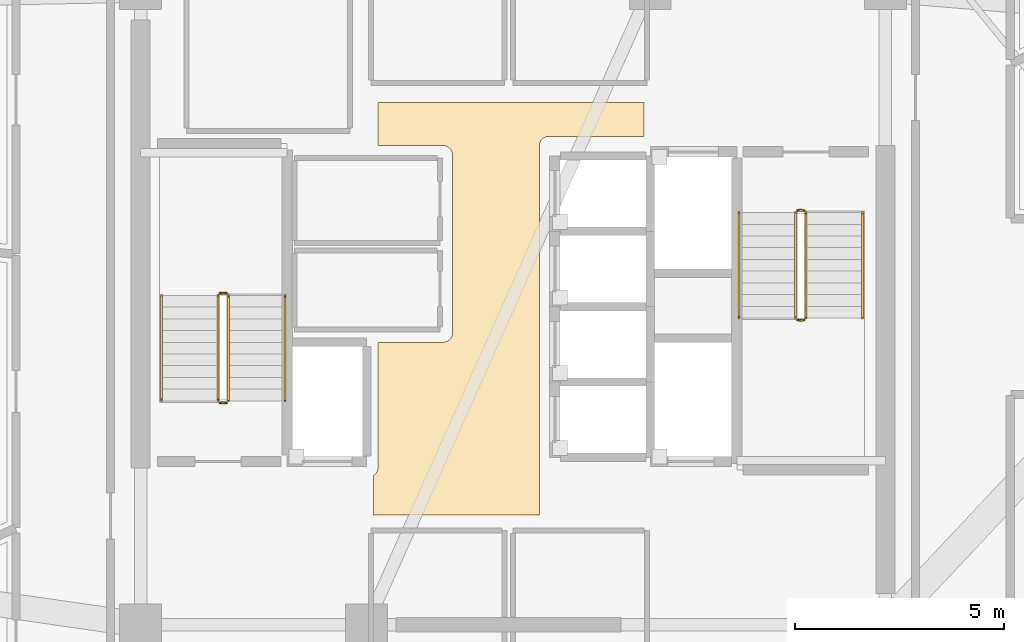
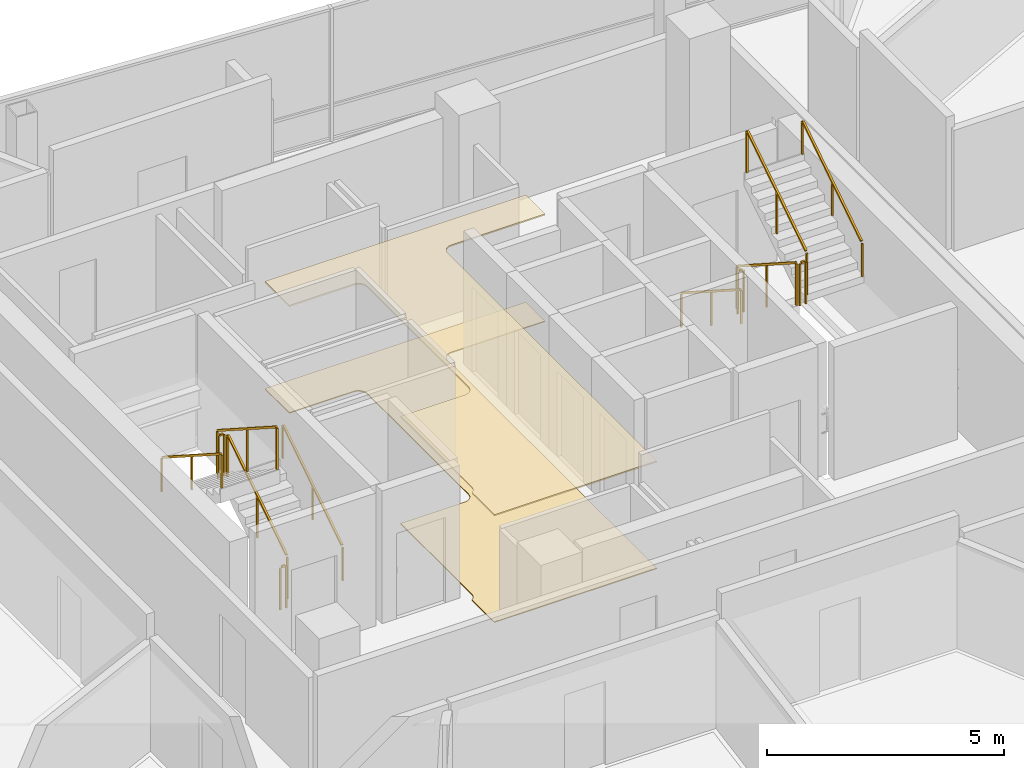
# One storey, part 13 of 14: 12 railings, 2 coverings.
"""IFC4 building model written with IfcOpenShell, lengths in metres."""

from ifc_helpers import new_model, si_unit, direction, frame, origin, origin_2d, place, context, subcontext, project, spatial, polyline, rectangle, outline, extrude, material, layer, layer_set, type_object, element, save


model = new_model("IFC4")

# Units and contexts
model_context = context("Model", 3, precision=1e-05, world=origin(), true_north=direction((0.0, 1.0)))
body_context = subcontext(model_context, "Body", "Model", "MODEL_VIEW")
ifc_project = project(units=[si_unit("LENGTHUNIT", "METRE"), si_unit("AREAUNIT", "SQUARE_METRE"), si_unit("VOLUMEUNIT", "CUBIC_METRE"), si_unit("PLANEANGLEUNIT", "RADIAN"), si_unit("MASSUNIT", "GRAM", prefix="KILO")], contexts=[model_context])

# Site, building, storey
site_placement = place(None, origin())
site = spatial("IfcSite", under=ifc_project, at=site_placement, CompositionType="ELEMENT")
building_placement = place(site_placement, origin())
building = spatial("IfcBuilding", under=site, at=building_placement, Name="Tharavind Bronze Gate", CompositionType="ELEMENT")
storey_placement = place(building_placement, frame((0.0, 0.0, 227.050048828125)))
storey = spatial("IfcBuildingStorey", under=building, at=storey_placement, Name="L58", CompositionType="ELEMENT", Elevation=227.050048828125)

# Coverings
ifc_material_1 = material(Name="Perforated Bronze Acoustic Panel", Category="bronze")
ifc_layer_1 = layer(ifc_material_1, 0.044921875)
ifc_layer_set_1 = layer_set([ifc_layer_1], Name="Perforated Bronze Acoustic Panel")
covering_type_1 = type_object("IfcCoveringType", Name="ACOUSTIC BRONZE BAFFLE CEILING", PredefinedType="CEILING", material=ifc_layer_set_1)
covering_1_placement = place(storey_placement, frame((0.0, 0.0, 2.75)))
element("IfcCovering", 1, at=covering_1_placement, inside=storey, type_object=covering_type_1, Name="L58-C-LL suspended ceiling", PredefinedType="CEILING", context=body_context, shape_type="SweptSolid", body=[
    extrude(outline(polyline([(-3.330078125, -4.97998046875), (0.6298828125, -4.97998046875), (0.6298828125, 3.85009765625), (0.631103515625, 3.87158203125), (0.63427734375, 3.892822265625), (0.639404296875, 3.913818359375), (0.646728515625, 3.93408203125), (0.656005859375, 3.95361328125), (0.6669921875, 3.97216796875), (0.679931640625, 3.989501953125), (0.6943359375, 4.005615234375), (0.71044921875, 4.02001953125), (0.727783203125, 4.032958984375), (0.746337890625, 4.0439453125), (0.765869140625, 4.05322265625), (0.7861328125, 4.060546875), (0.80712890625, 4.06591796875), (0.828369140625, 4.06884765625), (0.85009765625, 4.070068359375), (3.1298828125, 4.070068359375), (3.1298828125, 4.8798828125), (-3.22998046875, 4.8798828125), (-3.22998046875, 3.85009765625), (-1.669921875, 3.85009765625), (-1.6484375, 3.848876953125), (-1.627197265625, 3.845703125), (-1.606201171875, 3.840576171875), (-1.585693359375, 3.833251953125), (-1.56640625, 3.823974609375), (-1.5478515625, 3.81298828125), (-1.530517578125, 3.800048828125), (-1.514404296875, 3.78564453125), (-1.5, 3.76953125), (-1.487060546875, 3.752197265625), (-1.47607421875, 3.733642578125), (-1.466796875, 3.714111328125), (-1.45947265625, 3.69384765625), (-1.4541015625, 3.6728515625), (-1.451171875, 3.651611328125), (-1.449951171875, 3.6298828125), (-1.449951171875, 1.43994140625), (-1.450439453125, 1.429931640625), (-1.449951171875, 1.419921875), (-1.449951171875, -0.6298828125), (-1.451171875, -0.651611328125), (-1.4541015625, -0.6728515625), (-1.45947265625, -0.69384765625), (-1.466796875, -0.714111328125), (-1.47607421875, -0.733642578125), (-1.487060546875, -0.752197265625), (-1.5, -0.76953125), (-1.514404296875, -0.78564453125), (-1.530517578125, -0.800048828125), (-1.5478515625, -0.81298828125), (-1.56640625, -0.823974609375), (-1.585693359375, -0.833251953125), (-1.606201171875, -0.840576171875), (-1.627197265625, -0.845703125), (-1.6484375, -0.848876953125), (-1.669921875, -0.85009765625), (-3.22998046875, -0.85009765625), (-3.22998046875, -3.85009765625), (-3.231201171875, -3.87158203125), (-3.234130859375, -3.892822265625), (-3.239501953125, -3.913818359375), (-3.24658203125, -3.93408203125), (-3.256103515625, -3.95361328125), (-3.26708984375, -3.97216796875), (-3.27978515625, -3.989501953125), (-3.29443359375, -4.005615234375), (-3.310302734375, -4.02001953125), (-3.327880859375, -4.032958984375), (-3.330078125, -4.0341796875), (-3.330078125, -4.97998046875)])), origin(), (0.0, 0.0, 1.0), 0.034912109375),
])
ifc_material_2 = material(Name="Honed Travertine Limestone", Category="masonry")
ifc_layer_2 = layer(ifc_material_2, 0.030029296875)
ifc_layer_set_2 = layer_set([ifc_layer_2], Name="Honed Travertine Limestone")
covering_type_2 = type_object("IfcCoveringType", Name="HONED LIMESTONE FLOORING", PredefinedType="FLOORING", material=ifc_layer_set_2)
covering_2_placement = place(storey_placement, origin())
element("IfcCovering", 2, at=covering_2_placement, inside=storey, type_object=covering_type_2, Name="L58-C-LL floor finish", PredefinedType="FLOORING", context=body_context, shape_type="SweptSolid", body=[
    extrude(outline(polyline([(-3.330078125, -4.97998046875), (0.6298828125, -4.97998046875), (0.6298828125, 3.85009765625), (0.631103515625, 3.87158203125), (0.63427734375, 3.892822265625), (0.639404296875, 3.913818359375), (0.646728515625, 3.93408203125), (0.656005859375, 3.95361328125), (0.6669921875, 3.97216796875), (0.679931640625, 3.989501953125), (0.6943359375, 4.005615234375), (0.71044921875, 4.02001953125), (0.727783203125, 4.032958984375), (0.746337890625, 4.0439453125), (0.765869140625, 4.05322265625), (0.7861328125, 4.060546875), (0.80712890625, 4.06591796875), (0.828369140625, 4.06884765625), (0.85009765625, 4.070068359375), (3.1298828125, 4.070068359375), (3.1298828125, 4.8798828125), (-3.22998046875, 4.8798828125), (-3.22998046875, 3.85009765625), (-1.669921875, 3.85009765625), (-1.6484375, 3.848876953125), (-1.627197265625, 3.845703125), (-1.606201171875, 3.840576171875), (-1.585693359375, 3.833251953125), (-1.56640625, 3.823974609375), (-1.5478515625, 3.81298828125), (-1.530517578125, 3.800048828125), (-1.514404296875, 3.78564453125), (-1.5, 3.76953125), (-1.487060546875, 3.752197265625), (-1.47607421875, 3.733642578125), (-1.466796875, 3.714111328125), (-1.45947265625, 3.69384765625), (-1.4541015625, 3.6728515625), (-1.451171875, 3.651611328125), (-1.449951171875, 3.6298828125), (-1.449951171875, 1.43994140625), (-1.450439453125, 1.429931640625), (-1.449951171875, 1.419921875), (-1.449951171875, -0.6298828125), (-1.451171875, -0.651611328125), (-1.4541015625, -0.6728515625), (-1.45947265625, -0.69384765625), (-1.466796875, -0.714111328125), (-1.47607421875, -0.733642578125), (-1.487060546875, -0.752197265625), (-1.5, -0.76953125), (-1.514404296875, -0.78564453125), (-1.530517578125, -0.800048828125), (-1.5478515625, -0.81298828125), (-1.56640625, -0.823974609375), (-1.585693359375, -0.833251953125), (-1.606201171875, -0.840576171875), (-1.627197265625, -0.845703125), (-1.6484375, -0.848876953125), (-1.669921875, -0.85009765625), (-3.22998046875, -0.85009765625), (-3.22998046875, -3.85009765625), (-3.231201171875, -3.87158203125), (-3.234130859375, -3.892822265625), (-3.239501953125, -3.913818359375), (-3.24658203125, -3.93408203125), (-3.256103515625, -3.95361328125), (-3.26708984375, -3.97216796875), (-3.27978515625, -3.989501953125), (-3.29443359375, -4.005615234375), (-3.310302734375, -4.02001953125), (-3.327880859375, -4.032958984375), (-3.330078125, -4.0341796875), (-3.330078125, -4.97998046875)])), origin(), (0.0, 0.0, 1.0), 0.02490234375),
])

# Railings
ifc_material_3 = material(Name="Brushed Bronze Alloy", Category="metal")
railing_type_1 = type_object("IfcRailingType", Name="STAIR BRONZE HANDRAIL 900", PredefinedType="HANDRAIL", material=ifc_material_3)
railing_1_placement = place(storey_placement, frame((-5.449951171875, -2.25, 0.179931640625)))
element("IfcRailing", 3, at=railing_1_placement, inside=storey, type_object=railing_type_1, Name="L58 ST1 stair handrail 1", PredefinedType="HANDRAIL", context=body_context, shape_type="SweptSolid", body=[
    extrude(rectangle(XDim=0.048095703125, YDim=0.048095703125, at=origin_2d()), frame((0.0, 0.02685546875, 0.89306640625), z_axis=(0.0, 0.841162588446, 0.540782303519), x_axis=(-1.0, 0.0, 0.0)), (0.0, 0.0, 1.0), 2.931884765625),
    extrude(rectangle(XDim=0.0400390625, YDim=0.0400390625, at=origin_2d()), origin(), (0.0, 0.0, 1.0), 0.847900390625),
    extrude(rectangle(XDim=0.0400390625, YDim=0.0400390625, at=origin_2d()), frame((0.0, 1.260009765625, 0.81005859375)), (0.0, 0.0, 1.0), 0.847900390625),
    extrude(rectangle(XDim=0.0400390625, YDim=0.0400390625, at=origin_2d()), frame((0.0, 2.52001953125, 1.6201171875)), (0.0, 0.0, 1.0), 0.847900390625),
])
railing_2_placement = place(storey_placement, frame((-8.39990234375, 0.27001953125, 1.97998046875)))
element("IfcRailing", 4, at=railing_2_placement, inside=storey, type_object=railing_type_1, Name="L58 ST1 stair handrail 2", PredefinedType="HANDRAIL", context=body_context, shape_type="SweptSolid", body=[
    extrude(rectangle(XDim=0.048095703125, YDim=0.048095703125, at=origin_2d()), frame((0.0, -0.02685546875, 0.89306640625), z_axis=(0.0, -0.841199657755, 0.540724639528), x_axis=(1.0, 0.0, 0.0)), (0.0, 0.0, 1.0), 2.931640625),
    extrude(rectangle(XDim=0.0400390625, YDim=0.0400390625, at=origin_2d()), origin(), (0.0, 0.0, 1.0), 0.847900390625),
    extrude(rectangle(XDim=0.0400390625, YDim=0.0400390625, at=origin_2d()), frame((0.0, -1.260009765625, 0.81005859375)), (0.0, 0.0, 1.0), 0.847900390625),
    extrude(rectangle(XDim=0.0400390625, YDim=0.0400390625, at=origin_2d()), frame((0.0, -2.52001953125, 1.619873046875)), (0.0, 0.0, 1.0), 0.847900390625),
])
railing_3_placement = place(storey_placement, frame((5.39990234375, 2.25, 0.179931640625)))
element("IfcRailing", 5, at=railing_3_placement, inside=storey, type_object=railing_type_1, Name="L58 ST2 stair handrail 1", PredefinedType="HANDRAIL", context=body_context, shape_type="SweptSolid", body=[
    extrude(rectangle(XDim=0.048095703125, YDim=0.048095703125, at=origin_2d()), frame((0.0, -0.02685546875, 0.89306640625), z_axis=(0.0, -0.841162588446, 0.540782303519), x_axis=(1.0, 0.0, 0.0)), (0.0, 0.0, 1.0), 2.931884765625),
    extrude(rectangle(XDim=0.0400390625, YDim=0.0400390625, at=origin_2d()), origin(), (0.0, 0.0, 1.0), 0.847900390625),
    extrude(rectangle(XDim=0.0400390625, YDim=0.0400390625, at=origin_2d()), frame((0.0, -1.260009765625, 0.81005859375)), (0.0, 0.0, 1.0), 0.847900390625),
    extrude(rectangle(XDim=0.0400390625, YDim=0.0400390625, at=origin_2d()), frame((0.0, -2.52001953125, 1.6201171875)), (0.0, 0.0, 1.0), 0.847900390625),
])
railing_4_placement = place(storey_placement, frame((8.35009765625, -0.27001953125, 1.97998046875)))
element("IfcRailing", 6, at=railing_4_placement, inside=storey, type_object=railing_type_1, Name="L58 ST2 stair handrail 2", PredefinedType="HANDRAIL", context=body_context, shape_type="SweptSolid", body=[
    extrude(rectangle(XDim=0.048095703125, YDim=0.048095703125, at=origin_2d()), frame((0.0, 0.02685546875, 0.89306640625), z_axis=(0.0, 0.841199657755, 0.540724639528), x_axis=(-1.0, 0.0, 0.0)), (0.0, 0.0, 1.0), 2.931640625),
    extrude(rectangle(XDim=0.0400390625, YDim=0.0400390625, at=origin_2d()), origin(), (0.0, 0.0, 1.0), 0.847900390625),
    extrude(rectangle(XDim=0.0400390625, YDim=0.0400390625, at=origin_2d()), frame((0.0, 1.260009765625, 0.81005859375)), (0.0, 0.0, 1.0), 0.847900390625),
    extrude(rectangle(XDim=0.0400390625, YDim=0.0400390625, at=origin_2d()), frame((0.0, 2.52001953125, 1.619873046875)), (0.0, 0.0, 1.0), 0.847900390625),
])
railing_type_2 = type_object("IfcRailingType", Name="STAIR WELL GUARD RAILING 1120", PredefinedType="GUARDRAIL", material=ifc_material_3)
railing_5_placement = place(storey_placement, frame((-6.800048828125, -2.25, 0.179931640625)))
element("IfcRailing", 7, at=railing_5_placement, inside=storey, type_object=railing_type_2, Name="L58 ST1 stair guard 1", PredefinedType="GUARDRAIL", context=body_context, shape_type="SweptSolid", body=[
    extrude(rectangle(XDim=0.048095703125, YDim=0.048095703125, at=origin_2d()), frame((0.0, 0.02685546875, 1.11328125), z_axis=(0.0, 0.841162588446, 0.540782303519), x_axis=(-1.0, 0.0, 0.0)), (0.0, 0.0, 1.0), 2.931884765625),
    extrude(rectangle(XDim=0.0400390625, YDim=0.0400390625, at=origin_2d()), origin(), (0.0, 0.0, 1.0), 1.068115234375),
    extrude(rectangle(XDim=0.0400390625, YDim=0.0400390625, at=origin_2d()), frame((0.0, 1.260009765625, 0.81005859375)), (0.0, 0.0, 1.0), 1.068115234375),
    extrude(rectangle(XDim=0.0400390625, YDim=0.0400390625, at=origin_2d()), frame((0.0, 2.52001953125, 1.6201171875)), (0.0, 0.0, 1.0), 1.068115234375),
])
railing_6_placement = place(storey_placement, frame((-6.85009765625, 0.320068359375, 1.800048828125)))
element("IfcRailing", 8, at=railing_6_placement, inside=storey, type_object=railing_type_2, Name="L58 ST1 stair guard 2", PredefinedType="GUARDRAIL", context=body_context, shape_type="SweptSolid", body=[
    extrude(rectangle(XDim=0.048095703125, YDim=0.048095703125, at=origin_2d()), frame((-0.031982421875, 0.0, 1.09619140625), z_axis=(-1.0, 0.0, 0.0), x_axis=(0.0, -1.0, 0.0)), (0.0, 0.0, 1.0), 0.0859375),
    extrude(rectangle(XDim=0.0400390625, YDim=0.0400390625, at=origin_2d()), origin(), (0.0, 0.0, 1.0), 1.068115234375),
    extrude(rectangle(XDim=0.0400390625, YDim=0.0400390625, at=origin_2d()), frame((-0.14990234375, 0.0, 0.0)), (0.0, 0.0, 1.0), 1.068115234375),
])
railing_7_placement = place(storey_placement, frame((-7.050048828125, 0.27001953125, 1.97998046875)))
element("IfcRailing", 9, at=railing_7_placement, inside=storey, type_object=railing_type_2, Name="L58 ST1 stair guard 3", PredefinedType="GUARDRAIL", context=body_context, shape_type="SweptSolid", body=[
    extrude(rectangle(XDim=0.048095703125, YDim=0.048095703125, at=origin_2d()), frame((0.0, -0.02685546875, 1.11328125), z_axis=(0.0, -0.841199657755, 0.540724639528), x_axis=(1.0, 0.0, 0.0)), (0.0, 0.0, 1.0), 2.931640625),
    extrude(rectangle(XDim=0.0400390625, YDim=0.0400390625, at=origin_2d()), origin(), (0.0, 0.0, 1.0), 1.068115234375),
    extrude(rectangle(XDim=0.0400390625, YDim=0.0400390625, at=origin_2d()), frame((0.0, -1.260009765625, 0.81005859375)), (0.0, 0.0, 1.0), 1.068115234375),
    extrude(rectangle(XDim=0.0400390625, YDim=0.0400390625, at=origin_2d()), frame((0.0, -2.52001953125, 1.619873046875)), (0.0, 0.0, 1.0), 1.068115234375),
])
railing_8_placement = place(storey_placement, frame((-6.85009765625, -2.300048828125, 0.0)))
element("IfcRailing", 10, at=railing_8_placement, inside=storey, type_object=railing_type_2, Name="L58 ST1 stair guard 4", PredefinedType="GUARDRAIL", context=body_context, shape_type="SweptSolid", body=[
    extrude(rectangle(XDim=0.048095703125, YDim=0.048095703125, at=origin_2d()), frame((-0.031982421875, 0.0, 1.09619140625), z_axis=(-1.0, 0.0, 0.0), x_axis=(0.0, -1.0, 0.0)), (0.0, 0.0, 1.0), 0.0859375),
    extrude(rectangle(XDim=0.0400390625, YDim=0.0400390625, at=origin_2d()), origin(), (0.0, 0.0, 1.0), 1.068115234375),
    extrude(rectangle(XDim=0.0400390625, YDim=0.0400390625, at=origin_2d()), frame((-0.14990234375, 0.0, 0.0)), (0.0, 0.0, 1.0), 1.068115234375),
])
railing_9_placement = place(storey_placement, frame((6.75, 2.25, 0.179931640625)))
element("IfcRailing", 11, at=railing_9_placement, inside=storey, type_object=railing_type_2, Name="L58 ST2 stair guard 1", PredefinedType="GUARDRAIL", context=body_context, shape_type="SweptSolid", body=[
    extrude(rectangle(XDim=0.048095703125, YDim=0.048095703125, at=origin_2d()), frame((0.0, -0.02685546875, 1.11328125), z_axis=(0.0, -0.841162588446, 0.540782303519), x_axis=(1.0, 0.0, 0.0)), (0.0, 0.0, 1.0), 2.931884765625),
    extrude(rectangle(XDim=0.0400390625, YDim=0.0400390625, at=origin_2d()), origin(), (0.0, 0.0, 1.0), 1.068115234375),
    extrude(rectangle(XDim=0.0400390625, YDim=0.0400390625, at=origin_2d()), frame((0.0, -1.260009765625, 0.81005859375)), (0.0, 0.0, 1.0), 1.068115234375),
    extrude(rectangle(XDim=0.0400390625, YDim=0.0400390625, at=origin_2d()), frame((0.0, -2.52001953125, 1.6201171875)), (0.0, 0.0, 1.0), 1.068115234375),
])
railing_10_placement = place(storey_placement, frame((6.800048828125, -0.320068359375, 1.800048828125)))
element("IfcRailing", 12, at=railing_10_placement, inside=storey, type_object=railing_type_2, Name="L58 ST2 stair guard 2", PredefinedType="GUARDRAIL", context=body_context, shape_type="SweptSolid", body=[
    extrude(rectangle(XDim=0.048095703125, YDim=0.048095703125, at=origin_2d()), frame((0.031982421875, 0.0, 1.09619140625), z_axis=(1.0, 0.0, 0.0), x_axis=(0.0, 1.0, 0.0)), (0.0, 0.0, 1.0), 0.0859375),
    extrude(rectangle(XDim=0.0400390625, YDim=0.0400390625, at=origin_2d()), origin(), (0.0, 0.0, 1.0), 1.068115234375),
    extrude(rectangle(XDim=0.0400390625, YDim=0.0400390625, at=origin_2d()), frame((0.14990234375, 0.0, 0.0)), (0.0, 0.0, 1.0), 1.068115234375),
])
railing_11_placement = place(storey_placement, frame((7.0, -0.27001953125, 1.97998046875)))
element("IfcRailing", 13, at=railing_11_placement, inside=storey, type_object=railing_type_2, Name="L58 ST2 stair guard 3", PredefinedType="GUARDRAIL", context=body_context, shape_type="SweptSolid", body=[
    extrude(rectangle(XDim=0.048095703125, YDim=0.048095703125, at=origin_2d()), frame((0.0, 0.02685546875, 1.11328125), z_axis=(0.0, 0.841199657755, 0.540724639528), x_axis=(-1.0, 0.0, 0.0)), (0.0, 0.0, 1.0), 2.931640625),
    extrude(rectangle(XDim=0.0400390625, YDim=0.0400390625, at=origin_2d()), origin(), (0.0, 0.0, 1.0), 1.068115234375),
    extrude(rectangle(XDim=0.0400390625, YDim=0.0400390625, at=origin_2d()), frame((0.0, 1.260009765625, 0.81005859375)), (0.0, 0.0, 1.0), 1.068115234375),
    extrude(rectangle(XDim=0.0400390625, YDim=0.0400390625, at=origin_2d()), frame((0.0, 2.52001953125, 1.619873046875)), (0.0, 0.0, 1.0), 1.068115234375),
])
railing_12_placement = place(storey_placement, frame((6.800048828125, 2.300048828125, 0.0)))
element("IfcRailing", 14, at=railing_12_placement, inside=storey, type_object=railing_type_2, Name="L58 ST2 stair guard 4", PredefinedType="GUARDRAIL", context=body_context, shape_type="SweptSolid", body=[
    extrude(rectangle(XDim=0.048095703125, YDim=0.048095703125, at=origin_2d()), frame((0.031982421875, 0.0, 1.09619140625), z_axis=(1.0, 0.0, 0.0), x_axis=(0.0, 1.0, 0.0)), (0.0, 0.0, 1.0), 0.0859375),
    extrude(rectangle(XDim=0.0400390625, YDim=0.0400390625, at=origin_2d()), origin(), (0.0, 0.0, 1.0), 1.068115234375),
    extrude(rectangle(XDim=0.0400390625, YDim=0.0400390625, at=origin_2d()), frame((0.14990234375, 0.0, 0.0)), (0.0, 0.0, 1.0), 1.068115234375),
])

save(model, "model.ifc")
